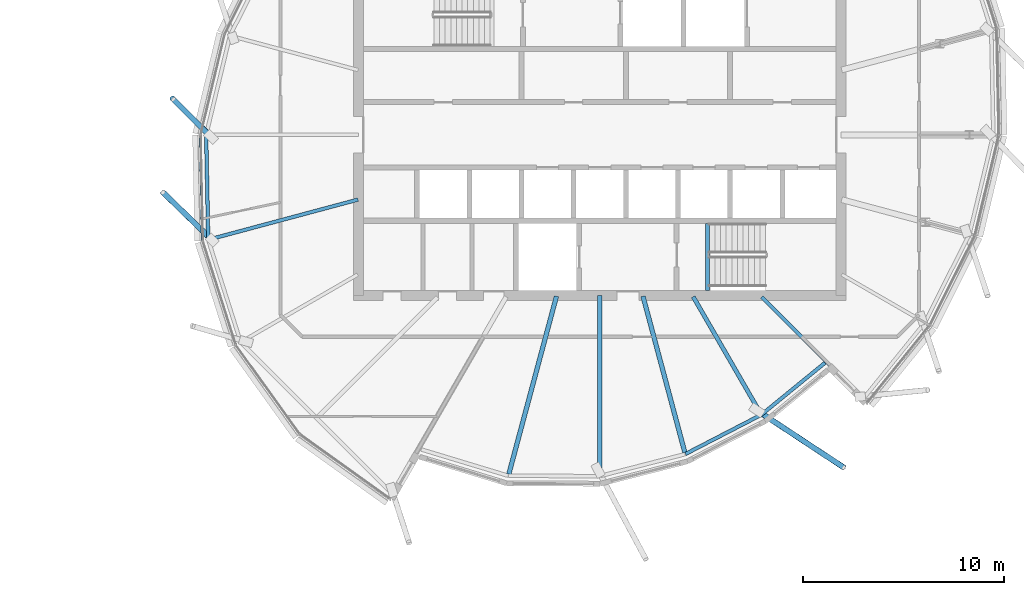
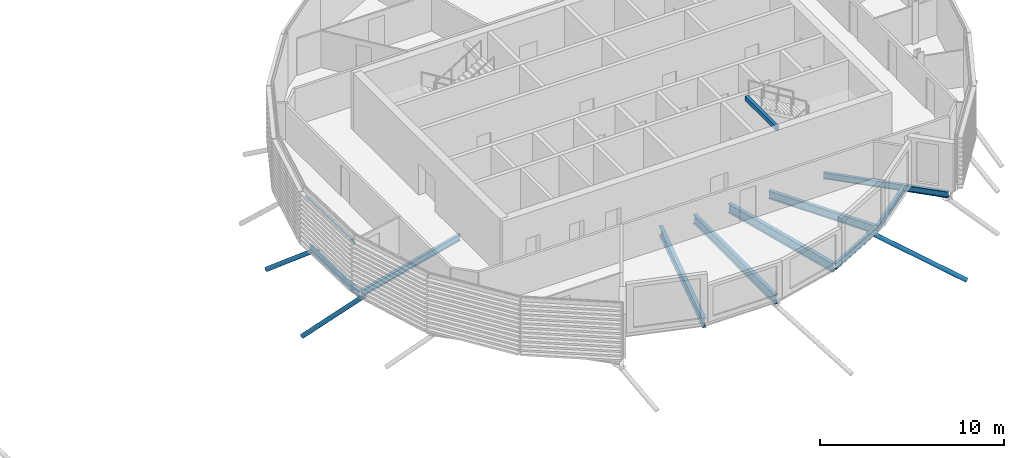
# One storey, part 10 of 38: 10 beams, 4 members, 1 element without a shape of its own.
"""IFC4 building model written with IfcOpenShell, lengths in metres."""

from ifc_helpers import new_model, si_unit, direction, frame, origin, origin_2d, place, context, subcontext, project, spatial, rectangle, hollow_rectangle, hollow_circle, i_section, extrude, clip, halfspace, material, material_profile, profile_set, type_object, element, aggregate, save


model = new_model("IFC4")

# Units and contexts
model_context = context("Model", 3, precision=1e-05, world=origin(), true_north=direction((0.0, 1.0)))
body_context = subcontext(model_context, "Body", "Model", "MODEL_VIEW")
ifc_project = project(units=[si_unit("LENGTHUNIT", "METRE"), si_unit("AREAUNIT", "SQUARE_METRE"), si_unit("VOLUMEUNIT", "CUBIC_METRE"), si_unit("PLANEANGLEUNIT", "RADIAN"), si_unit("MASSUNIT", "GRAM", prefix="KILO")], contexts=[model_context])

# Site, building, storey
site_placement = place(None, origin())
site = spatial("IfcSite", under=ifc_project, at=site_placement, CompositionType="ELEMENT")
building_placement = place(site_placement, origin())
building = spatial("IfcBuilding", under=site, at=building_placement, Name="Rimbun Link Towers", CompositionType="ELEMENT")
storey_placement = place(building_placement, frame((0.0, 0.0, 218.10009765625)))
storey = spatial("IfcBuildingStorey", under=building, at=storey_placement, Name="L53", CompositionType="ELEMENT", Elevation=218.10009765625)

# Curtain wall, member
ifc_material_1 = material(Name="Aluminium 6063-T6 and low-iron glass", Category="aluminium")
curtain_wall_type = type_object("IfcCurtainWallType", Name="CW1-Z4 unitised vision wall (zone 4)", PredefinedType="NOTDEFINED", material=ifc_material_1)
curtain_wall_placement = place(storey_placement, origin())
curtain_wall = element("IfcCurtainWall", 1, at=curtain_wall_placement, inside=storey, type_object=curtain_wall_type, Name="CW1 L53 T2", PredefinedType="NOTDEFINED")
ifc_material_2 = material(Name="Aluminium 6063-T6", Category="aluminium")
ifc_material_profile_1 = material_profile(ifc_material_2, rectangle(XDim=0.06005859375, YDim=0.1201171875, at=origin_2d()), Name="TRANSOM 60X120")
ifc_profile_set_1 = profile_set([ifc_material_profile_1], Name="Aluminium 6063-T6")
member_type_1 = type_object("IfcMemberType", Name="CW1 transom 60X120", PredefinedType="USERDEFINED", material=ifc_profile_set_1)
member_1_placement = place(storey_placement, frame((11.96630859375, -5.256591796875, 3.199951171875), z_axis=(-0.021020444364, 0.999779046049, 0.0), x_axis=(-0.999779046049, -0.021020444364, 0.0)))
member_1 = element("IfcMember", 2, at=member_1_placement, type_object=member_type_1, Name="CW1 transom", ObjectType="TRANSOM", PredefinedType="USERDEFINED", context=body_context, shape_type="SweptSolid", body=[
    extrude(rectangle(XDim=0.06005859375, YDim=0.1201171875, at=origin_2d()), origin(), (0.0, 0.0, 1.0), 5.2265625),
])
aggregate(curtain_wall, [member_1])

# Members
ifc_material_3 = material(Name="Steel S355J2H", Category="steel")
ifc_material_profile_2 = material_profile(ifc_material_3, hollow_circle(Radius=0.136474609375, WallThickness=0.012451171875, at=origin_2d()), Name="CHS 273x12.5")
ifc_profile_set_2 = profile_set([ifc_material_profile_2], Name="Steel S355J2H")
member_type_2 = type_object("IfcMemberType", Name="Floor edge link CHS 273x12.5", PredefinedType="BRACE", material=ifc_profile_set_2)
member_2_placement = place(storey_placement, frame((12.311279296875, 0.0, -0.660888671875), z_axis=(-0.595239034502, 0.592083778554, -0.543256192766), x_axis=(-0.705225187162, -0.708983381605, 0.0)))
element("IfcMember", 3, at=member_2_placement, inside=storey, type_object=member_type_2, Name="Floor edge link T2 L53 09", PredefinedType="BRACE", context=body_context, shape_type="Clipping", body=[
    clip(extrude(hollow_circle(Radius=0.136474609375, WallThickness=0.012451171875, at=origin_2d()), frame((0.0, 0.0, -0.440185546875)), (0.0, 0.0, 1.0), 3.535400390625), halfspace(frame((0.0, 0.0, -0.206787109375), z_axis=(0.0, 0.839566977091, -0.543256192766)), False)),
])
member_3_placement = place(storey_placement, frame((12.4091796875, -5.182373046875, -0.646484375), z_axis=(-0.521973411445, 0.507364553964, -0.685656595626), x_axis=(-0.697000989342, -0.717070164529, 0.0)))
element("IfcMember", 4, at=member_3_placement, inside=storey, type_object=member_type_2, Name="Floor edge link T2 L53 10", PredefinedType="BRACE", context=body_context, shape_type="Clipping", body=[
    clip(extrude(hollow_circle(Radius=0.136474609375, WallThickness=0.012451171875, at=origin_2d()), frame((0.0, 0.0, -0.304443359375)), (0.0, 0.0, 1.0), 4.883544921875), halfspace(frame((0.0, 0.0, -0.142822265625), z_axis=(0.0, 0.727925156094, -0.685656595626)), False)),
])
member_4_placement = place(storey_placement, frame((39.7197265625, -13.803955078125, -0.79296875), z_axis=(0.728051277681, -0.479418345579, -0.489999374479), x_axis=(0.549966519294, 0.835186702274, 0.0)))
element("IfcMember", 5, at=member_4_placement, inside=storey, type_object=member_type_2, Name="Floor edge link T2 L53 17", PredefinedType="BRACE", context=body_context, shape_type="Clipping", body=[
    clip(extrude(hollow_circle(Radius=0.136474609375, WallThickness=0.012451171875, at=origin_2d()), frame((0.0, 0.0, -0.506103515625)), (0.0, 0.0, 1.0), 6.25146484375), halfspace(frame((0.0, 0.0, -0.240234375), z_axis=(0.0, 0.871722784497, -0.489999374479)), False)),
])

# Beams
ifc_material_4 = material(Name="Steel S355J2", Category="steel")
ifc_material_profile_3 = material_profile(ifc_material_4, hollow_rectangle(XDim=0.199951171875, YDim=0.300048828125, WallThickness=0.011962890625, at=origin_2d()), Name="BOX 300x200x12")
ifc_profile_set_3 = profile_set([ifc_material_profile_3], Name="Steel S355J2")
beam_type_1 = type_object("IfcBeamType", Name="Stair trimmer beam BOX 300x200x12", PredefinedType="BEAM", material=ifc_profile_set_3)
beam_1_placement = place(storey_placement, frame((37.10009765625, -7.75, 3.510009765625), z_axis=(0.0, 1.0, 0.0), x_axis=(-1.0, 0.0, 0.0)))
element("IfcBeam", 6, at=beam_1_placement, inside=storey, type_object=beam_type_1, Name="L53 ST4 stair beam 1", PredefinedType="BEAM", context=body_context, shape_type="SweptSolid", body=[
    extrude(hollow_rectangle(XDim=0.199951171875, YDim=0.300048828125, WallThickness=0.011962890625, at=origin_2d()), origin(), (0.0, 0.0, 1.0), 3.35009765625),
])
ifc_material_5 = material(Name="Steel S355J2", Category="steel")
ifc_material_profile_4 = material_profile(ifc_material_5, i_section(OverallWidth=0.177978515625, OverallDepth=0.406494140625, WebThickness=0.0078125, FlangeThickness=0.0126953125, at=origin_2d()), Name="UB 406x178x60")
ifc_profile_set_4 = profile_set([ifc_material_profile_4], Name="Steel S355J2")
beam_type_2 = type_object("IfcBeamType", Name="UB 406x178x60", PredefinedType="BEAM", material=ifc_profile_set_4)
beam_2_placement = place(storey_placement, frame((19.72607421875, -3.2216796875, -0.34326171875), z_axis=(-0.965921753767, -0.258834243485, 0.0), x_axis=(0.258834243485, -0.965921753767, 0.0)))
element("IfcBeam", 7, at=beam_2_placement, inside=storey, type_object=beam_type_2, Name="Radial beam T2 L53 10", PredefinedType="BEAM", context=body_context, shape_type="SweptSolid", body=[
    extrude(i_section(OverallWidth=0.177978515625, OverallDepth=0.406494140625, WebThickness=0.0078125, FlangeThickness=0.0126953125, at=origin_2d()), origin(), (0.0, 0.0, 1.0), 7.625),
])
beam_3_placement = place(storey_placement, frame((39.813720703125, -8.063720703125, -0.34326171875), z_axis=(0.707106781187, -0.707106781187, 0.0), x_axis=(0.707106781187, 0.707106781187, 0.0)))
element("IfcBeam", 8, at=beam_3_placement, inside=storey, type_object=beam_type_2, Name="Radial beam T2 L53 18", PredefinedType="BEAM", context=body_context, shape_type="SweptSolid", body=[
    extrude(i_section(OverallWidth=0.177978515625, OverallDepth=0.406494140625, WebThickness=0.0078125, FlangeThickness=0.0126953125, at=origin_2d()), origin(), (0.0, 0.0, 1.0), 7.057861328125),
])
beam_4_placement = place(storey_placement, frame((12.1708984375, -0.012451171875, -0.34326171875), z_axis=(0.019744128625, -0.999805065693, 0.0), x_axis=(0.999805065693, 0.019744128625, 0.0)))
element("IfcBeam", 9, at=beam_4_placement, inside=storey, type_object=beam_type_2, Name="Edge beam T2 L53 09", PredefinedType="BEAM", context=body_context, shape_type="SweptSolid", body=[
    extrude(i_section(OverallWidth=0.177978515625, OverallDepth=0.406494140625, WebThickness=0.0078125, FlangeThickness=0.0126953125, at=origin_2d()), origin(), (0.0, 0.0, 1.0), 5.193359375),
])
beam_5_placement = place(storey_placement, frame((36.015625, -15.8779296875, -0.34326171875), z_axis=(0.88816820485, 0.459518486999, 0.0), x_axis=(-0.459518486999, 0.88816820485, 0.0)))
element("IfcBeam", 10, at=beam_5_placement, inside=storey, type_object=beam_type_2, Name="Edge beam T2 L53 16 recess", PredefinedType="BEAM", context=body_context, shape_type="SweptSolid", body=[
    extrude(i_section(OverallWidth=0.177978515625, OverallDepth=0.406494140625, WebThickness=0.0078125, FlangeThickness=0.0126953125, at=origin_2d()), origin(), (0.0, 0.0, 1.0), 4.2392578125),
])
beam_6_placement = place(storey_placement, frame((39.797607421875, -13.918701171875, -0.34326171875), z_axis=(0.774691160493, 0.632339786708, 0.0), x_axis=(-0.632339786708, 0.774691160493, 0.0)))
element("IfcBeam", 11, at=beam_6_placement, inside=storey, type_object=beam_type_2, Name="Edge beam T2 L53 17 recess", PredefinedType="BEAM", context=body_context, shape_type="SweptSolid", body=[
    extrude(i_section(OverallWidth=0.177978515625, OverallDepth=0.406494140625, WebThickness=0.0078125, FlangeThickness=0.0126953125, at=origin_2d()), origin(), (0.0, 0.0, 1.0), 4.0732421875),
])
ifc_material_6 = material(Name="Steel S355J2", Category="steel")
ifc_material_profile_5 = material_profile(ifc_material_6, i_section(OverallWidth=0.209228515625, OverallDepth=0.533203125, WebThickness=0.010009765625, FlangeThickness=0.015625, at=origin_2d()), Name="UB 533x210x92")
ifc_profile_set_5 = profile_set([ifc_material_profile_5], Name="Steel S355J2")
beam_type_3 = type_object("IfcBeamType", Name="UB 533x210x92", PredefinedType="BEAM", material=ifc_profile_set_5)
beam_7_placement = place(storey_placement, frame((36.3994140625, -8.05322265625, -0.406494140625), z_axis=(0.500008851346, -0.866020293397, 0.0), x_axis=(0.866020293397, 0.500008851346, 0.0)))
element("IfcBeam", 12, at=beam_7_placement, inside=storey, type_object=beam_type_3, Name="Radial beam T2 L53 17", PredefinedType="BEAM", context=body_context, shape_type="SweptSolid", body=[
    extrude(i_section(OverallWidth=0.209228515625, OverallDepth=0.533203125, WebThickness=0.010009765625, FlangeThickness=0.015625, at=origin_2d()), origin(), (0.0, 0.0, 1.0), 6.6904296875),
])
ifc_material_7 = material(Name="Steel S355J2", Category="steel")
ifc_material_profile_6 = material_profile(ifc_material_7, i_section(OverallWidth=0.2275390625, OverallDepth=0.6025390625, WebThickness=0.010498046875, FlangeThickness=0.014892578125, at=origin_2d()), Name="UB 610x229x101")
ifc_profile_set_6 = profile_set([ifc_material_profile_6], Name="Steel S355J2")
beam_type_4 = type_object("IfcBeamType", Name="UB 610x229x101", PredefinedType="BEAM", material=ifc_profile_set_6)
beam_8_placement = place(storey_placement, frame((29.598388671875, -8.030517578125, -0.44140625), z_axis=(-0.258828917395, -0.965923180962, 0.0), x_axis=(0.965923180962, -0.258828917395, 0.0)))
element("IfcBeam", 13, at=beam_8_placement, inside=storey, type_object=beam_type_4, Name="Radial beam T2 L53 14", PredefinedType="BEAM", context=body_context, shape_type="SweptSolid", body=[
    extrude(i_section(OverallWidth=0.2275390625, OverallDepth=0.6025390625, WebThickness=0.010498046875, FlangeThickness=0.014892578125, at=origin_2d()), origin(), (0.0, 0.0, 1.0), 9.157958984375),
])
beam_9_placement = place(storey_placement, frame((31.75, -8.0009765625, -0.44140625), z_axis=(0.0, -1.0, 0.0), x_axis=(1.0, 0.0, 0.0)))
element("IfcBeam", 14, at=beam_9_placement, inside=storey, type_object=beam_type_4, Name="Radial beam T2 L53 15", PredefinedType="BEAM", context=body_context, shape_type="SweptSolid", body=[
    extrude(i_section(OverallWidth=0.2275390625, OverallDepth=0.6025390625, WebThickness=0.010498046875, FlangeThickness=0.014892578125, at=origin_2d()), origin(), (0.0, 0.0, 1.0), 8.88671875),
])
beam_10_placement = place(storey_placement, frame((33.901611328125, -8.030517578125, -0.44140625), z_axis=(0.25882867967, -0.965923244663, 0.0), x_axis=(0.965923244663, 0.25882867967, 0.0)))
element("IfcBeam", 15, at=beam_10_placement, inside=storey, type_object=beam_type_4, Name="Radial beam T2 L53 16", PredefinedType="BEAM", context=body_context, shape_type="SweptSolid", body=[
    extrude(i_section(OverallWidth=0.2275390625, OverallDepth=0.6025390625, WebThickness=0.010498046875, FlangeThickness=0.014892578125, at=origin_2d()), origin(), (0.0, 0.0, 1.0), 8.039306640625),
])

save(model, "model.ifc")
